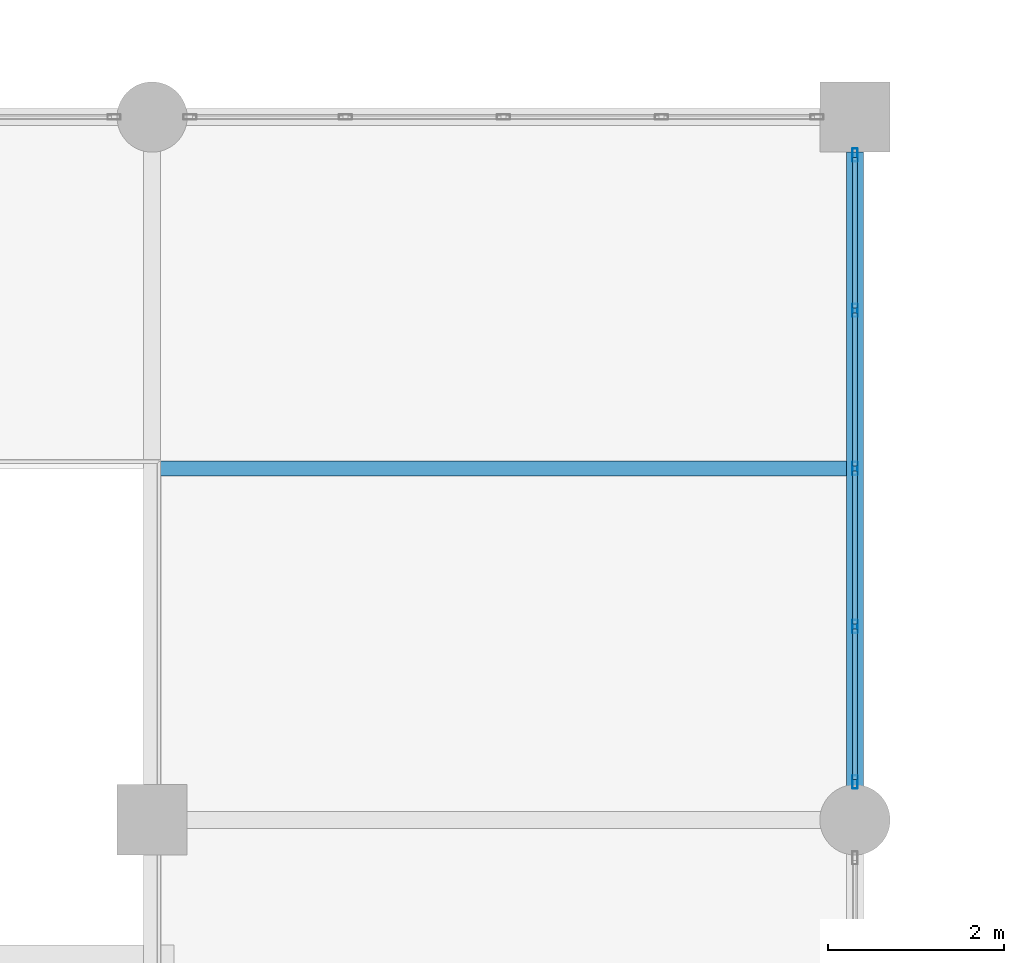
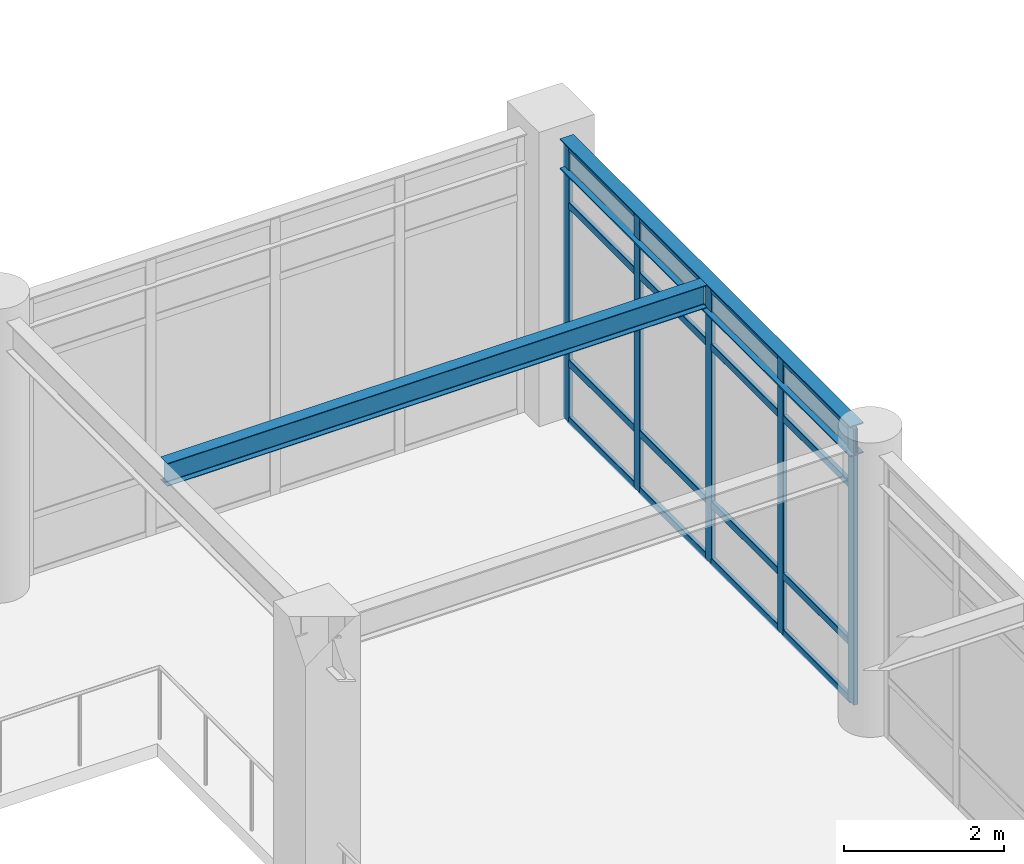
# One storey, part 49 of 78: 21 members, 2 beams, 1 element without a shape of its own.
"""IFC4 building model written with IfcOpenShell, lengths in metres."""

from ifc_helpers import new_model, si_unit, direction, frame, origin, origin_2d, place, context, subcontext, project, spatial, hollow_rectangle, i_section, extrude, material, material_profile, profile_set, type_object, element, aggregate, save


model = new_model("IFC4")

# Units and contexts
model_context = context("Model", 3, precision=1e-05, world=origin(), true_north=direction((0.0, 1.0)))
body_context = subcontext(model_context, "Body", "Model", "MODEL_VIEW")
ifc_project = project(units=[si_unit("LENGTHUNIT", "METRE"), si_unit("AREAUNIT", "SQUARE_METRE"), si_unit("VOLUMEUNIT", "CUBIC_METRE"), si_unit("PLANEANGLEUNIT", "RADIAN"), si_unit("MASSUNIT", "GRAM", prefix="KILO")], contexts=[model_context])

# Site, building, storey
site_placement = place(None, origin())
site = spatial("IfcSite", under=ifc_project, at=site_placement, CompositionType="ELEMENT")
building_placement = place(site_placement, origin())
building = spatial("IfcBuilding", under=site, at=building_placement, Name="Solmirada Galleria", CompositionType="ELEMENT")
storey_placement = place(building_placement, frame((0.0, 0.0, 23.89990234375)))
storey = spatial("IfcBuildingStorey", under=building, at=storey_placement, Name="L05", CompositionType="ELEMENT", Elevation=23.89990234375)

# Beams
ifc_material_1 = material(Name="Steel S355 / ASTM A992 Grade 50", Category="steel")
ifc_material_profile_1 = material_profile(ifc_material_1, i_section(OverallWidth=0.193115234375, OverallDepth=0.466064453125, WebThickness=0.011474609375, FlangeThickness=0.01904296875, FilletRadius=0.013916015625, at=origin_2d()), Name="W18X65")
ifc_profile_set_1 = profile_set([ifc_material_profile_1], Name="Steel S355 / ASTM A992 Grade 50")
beam_type_1 = type_object("IfcBeamType", Name="BM-GIRD-W18C", PredefinedType="BEAM", material=ifc_profile_set_1)
beam_1_placement = place(storey_placement, frame((112.0, 64.3359375, 4.067138671875), z_axis=(0.0, 1.0, 0.0), x_axis=(-1.0, 0.0, 0.0)))
element("IfcBeam", 1, at=beam_1_placement, inside=storey, type_object=beam_type_1, Name="Primary girder L06 Y(112, 64..72)", PredefinedType="BEAM", context=body_context, shape_type="SweptSolid", body=[
    extrude(i_section(OverallWidth=0.193115234375, OverallDepth=0.466064453125, WebThickness=0.011474609375, FlangeThickness=0.01904296875, FilletRadius=0.013916015625, at=origin_2d()), origin(), (0.0, 0.0, 1.0), 7.26416015625),
])
ifc_material_profile_2 = material_profile(ifc_material_1, i_section(OverallWidth=0.1708984375, OverallDepth=0.35205078125, WebThickness=0.0068359375, FlangeThickness=0.009765625, FilletRadius=0.010986328125, at=origin_2d()), Name="W14X30")
ifc_profile_set_2 = profile_set([ifc_material_profile_2], Name="Steel S355 / ASTM A992 Grade 50")
beam_type_2 = type_object("IfcBeamType", Name="BM-JST-W14B", PredefinedType="JOIST", material=ifc_profile_set_2)
beam_2_placement = place(storey_placement, frame((104.096435546875, 68.0, 4.1240234375), z_axis=(1.0, 0.0, 0.0), x_axis=(0.0, 1.0, 0.0)))
element("IfcBeam", 2, at=beam_2_placement, inside=storey, type_object=beam_type_2, Name="Composite floor joist L06 (104..112, 68.0)", PredefinedType="JOIST", context=body_context, shape_type="SweptSolid", body=[
    extrude(i_section(OverallWidth=0.1708984375, OverallDepth=0.35205078125, WebThickness=0.0068359375, FlangeThickness=0.009765625, FilletRadius=0.010986328125, at=origin_2d()), origin(), (0.0, 0.0, 1.0), 7.80712890625),
])

# Curtain wall, members
ifc_material_2 = material(Name="Impact-resistant low-E double glazing", Category="glass")
curtain_wall_type = type_object("IfcCurtainWallType", Name="CW-FZ3-L05-B4-L072", PredefinedType="NOTDEFINED", material=ifc_material_2)
curtain_wall_placement = place(storey_placement, origin())
curtain_wall = element("IfcCurtainWall", 3, at=curtain_wall_placement, inside=storey, type_object=curtain_wall_type, Name="Terrace and arcade storefront CW-L05-176", PredefinedType="NOTDEFINED")
ifc_material_3 = material(Name="Anodised aluminium framing", Category="aluminium")
ifc_material_profile_3 = material_profile(ifc_material_3, hollow_rectangle(XDim=0.06005859375, YDim=0.14990234375, WallThickness=0.00341796875, InnerFilletRadius=0.00341796875, OuterFilletRadius=0.007080078125, at=origin_2d()), Name="ALU-MULL-150X60")
ifc_profile_set_3 = profile_set([ifc_material_profile_3], Name="Anodised aluminium framing")
member_type_1 = type_object("IfcMemberType", Name="CW-MULL-150", PredefinedType="MULLION", material=ifc_profile_set_3)
member_1_placement = place(storey_placement, frame((112.0, 71.568115234375, 0.0), z_axis=(0.0, 0.0, 1.0), x_axis=(1.0, 0.0, 0.0)))
member_1 = element("IfcMember", 4, at=member_1_placement, type_object=member_type_1, Name="CW33 mullion 1", PredefinedType="MULLION", context=body_context, shape_type="SweptSolid", body=[
    extrude(hollow_rectangle(XDim=0.06005859375, YDim=0.14990234375, WallThickness=0.00341796875, InnerFilletRadius=0.00341796875, OuterFilletRadius=0.007080078125, at=origin_2d()), origin(), (0.0, 0.0, 1.0), 4.22021484375),
])
member_2_placement = place(storey_placement, frame((112.0, 69.799072265625, 0.0), z_axis=(0.0, 0.0, 1.0), x_axis=(1.0, 0.0, 0.0)))
member_2 = element("IfcMember", 5, at=member_2_placement, type_object=member_type_1, Name="CW33 mullion 2", PredefinedType="MULLION", context=body_context, shape_type="SweptSolid", body=[
    extrude(hollow_rectangle(XDim=0.06005859375, YDim=0.14990234375, WallThickness=0.00341796875, InnerFilletRadius=0.00341796875, OuterFilletRadius=0.007080078125, at=origin_2d()), origin(), (0.0, 0.0, 1.0), 4.22021484375),
])
member_3_placement = place(storey_placement, frame((112.0, 68.0, 0.0), z_axis=(0.0, 0.0, 1.0), x_axis=(1.0, 0.0, 0.0)))
member_3 = element("IfcMember", 6, at=member_3_placement, type_object=member_type_1, Name="CW33 mullion 3", PredefinedType="MULLION", context=body_context, shape_type="SweptSolid", body=[
    extrude(hollow_rectangle(XDim=0.06005859375, YDim=0.14990234375, WallThickness=0.00341796875, InnerFilletRadius=0.00341796875, OuterFilletRadius=0.007080078125, at=origin_2d()), origin(), (0.0, 0.0, 1.0), 4.22021484375),
])
member_4_placement = place(storey_placement, frame((112.0, 66.200927734375, 0.0), z_axis=(0.0, 0.0, 1.0), x_axis=(1.0, 0.0, 0.0)))
member_4 = element("IfcMember", 7, at=member_4_placement, type_object=member_type_1, Name="CW33 mullion 4", PredefinedType="MULLION", context=body_context, shape_type="SweptSolid", body=[
    extrude(hollow_rectangle(XDim=0.06005859375, YDim=0.14990234375, WallThickness=0.00341796875, InnerFilletRadius=0.00341796875, OuterFilletRadius=0.007080078125, at=origin_2d()), origin(), (0.0, 0.0, 1.0), 4.22021484375),
])
member_5_placement = place(storey_placement, frame((112.0, 64.431884765625, 0.0), z_axis=(0.0, 0.0, 1.0), x_axis=(1.0, 0.0, 0.0)))
member_5 = element("IfcMember", 8, at=member_5_placement, type_object=member_type_1, Name="CW33 mullion 5", PredefinedType="MULLION", context=body_context, shape_type="SweptSolid", body=[
    extrude(hollow_rectangle(XDim=0.06005859375, YDim=0.14990234375, WallThickness=0.00341796875, InnerFilletRadius=0.00341796875, OuterFilletRadius=0.007080078125, at=origin_2d()), origin(), (0.0, 0.0, 1.0), 4.22021484375),
])
ifc_material_profile_4 = material_profile(ifc_material_3, hollow_rectangle(XDim=0.06005859375, YDim=0.110107421875, WallThickness=0.003173828125, InnerFilletRadius=0.003173828125, OuterFilletRadius=0.00634765625, at=origin_2d()), Name="ALU-TRAN-110X60")
ifc_profile_set_4 = profile_set([ifc_material_profile_4], Name="Anodised aluminium framing")
member_type_2 = type_object("IfcMemberType", Name="CW-TRAN-110", PredefinedType="USERDEFINED", material=ifc_profile_set_4)
member_6_placement = place(storey_placement, frame((112.0, 71.5380859375, 0.030029296875), z_axis=(0.0, -1.0, 0.0), x_axis=(1.0, 0.0, 0.0)))
member_6 = element("IfcMember", 9, at=member_6_placement, type_object=member_type_2, Name="CW33 transom 1.1", ObjectType="TRANSOM", PredefinedType="USERDEFINED", context=body_context, shape_type="SweptSolid", body=[
    extrude(hollow_rectangle(XDim=0.06005859375, YDim=0.110107421875, WallThickness=0.003173828125, InnerFilletRadius=0.003173828125, OuterFilletRadius=0.00634765625, at=origin_2d()), origin(), (0.0, 0.0, 1.0), 1.708984375),
])
member_7_placement = place(storey_placement, frame((112.0, 71.5380859375, 0.900146484375), z_axis=(0.0, -1.0, 0.0), x_axis=(1.0, 0.0, 0.0)))
member_7 = element("IfcMember", 10, at=member_7_placement, type_object=member_type_2, Name="CW33 transom 1.2", ObjectType="TRANSOM", PredefinedType="USERDEFINED", context=body_context, shape_type="SweptSolid", body=[
    extrude(hollow_rectangle(XDim=0.06005859375, YDim=0.110107421875, WallThickness=0.003173828125, InnerFilletRadius=0.003173828125, OuterFilletRadius=0.00634765625, at=origin_2d()), origin(), (0.0, 0.0, 1.0), 1.708984375),
])
member_8_placement = place(storey_placement, frame((112.0, 71.5380859375, 3.31005859375), z_axis=(0.0, -1.0, 0.0), x_axis=(1.0, 0.0, 0.0)))
member_8 = element("IfcMember", 11, at=member_8_placement, type_object=member_type_2, Name="CW33 transom 1.3", ObjectType="TRANSOM", PredefinedType="USERDEFINED", context=body_context, shape_type="SweptSolid", body=[
    extrude(hollow_rectangle(XDim=0.06005859375, YDim=0.110107421875, WallThickness=0.003173828125, InnerFilletRadius=0.003173828125, OuterFilletRadius=0.00634765625, at=origin_2d()), origin(), (0.0, 0.0, 1.0), 1.708984375),
])
member_9_placement = place(storey_placement, frame((112.0, 71.5380859375, 4.190185546875), z_axis=(0.0, -1.0, 0.0), x_axis=(1.0, 0.0, 0.0)))
member_9 = element("IfcMember", 12, at=member_9_placement, type_object=member_type_2, Name="CW33 transom 1.4", ObjectType="TRANSOM", PredefinedType="USERDEFINED", context=body_context, shape_type="SweptSolid", body=[
    extrude(hollow_rectangle(XDim=0.06005859375, YDim=0.110107421875, WallThickness=0.003173828125, InnerFilletRadius=0.003173828125, OuterFilletRadius=0.00634765625, at=origin_2d()), origin(), (0.0, 0.0, 1.0), 1.708984375),
])
member_10_placement = place(storey_placement, frame((112.0, 69.76904296875, 0.030029296875), z_axis=(0.0, -1.0, 0.0), x_axis=(1.0, 0.0, 0.0)))
member_10 = element("IfcMember", 13, at=member_10_placement, type_object=member_type_2, Name="CW33 transom 2.1", ObjectType="TRANSOM", PredefinedType="USERDEFINED", context=body_context, shape_type="SweptSolid", body=[
    extrude(hollow_rectangle(XDim=0.06005859375, YDim=0.110107421875, WallThickness=0.003173828125, InnerFilletRadius=0.003173828125, OuterFilletRadius=0.00634765625, at=origin_2d()), origin(), (0.0, 0.0, 1.0), 1.739013671875),
])
member_11_placement = place(storey_placement, frame((112.0, 69.76904296875, 0.900146484375), z_axis=(0.0, -1.0, 0.0), x_axis=(1.0, 0.0, 0.0)))
member_11 = element("IfcMember", 14, at=member_11_placement, type_object=member_type_2, Name="CW33 transom 2.2", ObjectType="TRANSOM", PredefinedType="USERDEFINED", context=body_context, shape_type="SweptSolid", body=[
    extrude(hollow_rectangle(XDim=0.06005859375, YDim=0.110107421875, WallThickness=0.003173828125, InnerFilletRadius=0.003173828125, OuterFilletRadius=0.00634765625, at=origin_2d()), origin(), (0.0, 0.0, 1.0), 1.739013671875),
])
member_12_placement = place(storey_placement, frame((112.0, 69.76904296875, 3.31005859375), z_axis=(0.0, -1.0, 0.0), x_axis=(1.0, 0.0, 0.0)))
member_12 = element("IfcMember", 15, at=member_12_placement, type_object=member_type_2, Name="CW33 transom 2.3", ObjectType="TRANSOM", PredefinedType="USERDEFINED", context=body_context, shape_type="SweptSolid", body=[
    extrude(hollow_rectangle(XDim=0.06005859375, YDim=0.110107421875, WallThickness=0.003173828125, InnerFilletRadius=0.003173828125, OuterFilletRadius=0.00634765625, at=origin_2d()), origin(), (0.0, 0.0, 1.0), 1.739013671875),
])
member_13_placement = place(storey_placement, frame((112.0, 69.76904296875, 4.190185546875), z_axis=(0.0, -1.0, 0.0), x_axis=(1.0, 0.0, 0.0)))
member_13 = element("IfcMember", 16, at=member_13_placement, type_object=member_type_2, Name="CW33 transom 2.4", ObjectType="TRANSOM", PredefinedType="USERDEFINED", context=body_context, shape_type="SweptSolid", body=[
    extrude(hollow_rectangle(XDim=0.06005859375, YDim=0.110107421875, WallThickness=0.003173828125, InnerFilletRadius=0.003173828125, OuterFilletRadius=0.00634765625, at=origin_2d()), origin(), (0.0, 0.0, 1.0), 1.739013671875),
])
member_14_placement = place(storey_placement, frame((112.0, 67.969970703125, 0.030029296875), z_axis=(0.0, -1.0, 0.0), x_axis=(1.0, 0.0, 0.0)))
member_14 = element("IfcMember", 17, at=member_14_placement, type_object=member_type_2, Name="CW33 transom 3.1", ObjectType="TRANSOM", PredefinedType="USERDEFINED", context=body_context, shape_type="SweptSolid", body=[
    extrude(hollow_rectangle(XDim=0.06005859375, YDim=0.110107421875, WallThickness=0.003173828125, InnerFilletRadius=0.003173828125, OuterFilletRadius=0.00634765625, at=origin_2d()), origin(), (0.0, 0.0, 1.0), 1.739013671875),
])
member_15_placement = place(storey_placement, frame((112.0, 67.969970703125, 0.900146484375), z_axis=(0.0, -1.0, 0.0), x_axis=(1.0, 0.0, 0.0)))
member_15 = element("IfcMember", 18, at=member_15_placement, type_object=member_type_2, Name="CW33 transom 3.2", ObjectType="TRANSOM", PredefinedType="USERDEFINED", context=body_context, shape_type="SweptSolid", body=[
    extrude(hollow_rectangle(XDim=0.06005859375, YDim=0.110107421875, WallThickness=0.003173828125, InnerFilletRadius=0.003173828125, OuterFilletRadius=0.00634765625, at=origin_2d()), origin(), (0.0, 0.0, 1.0), 1.739013671875),
])
member_16_placement = place(storey_placement, frame((112.0, 67.969970703125, 3.31005859375), z_axis=(0.0, -1.0, 0.0), x_axis=(1.0, 0.0, 0.0)))
member_16 = element("IfcMember", 19, at=member_16_placement, type_object=member_type_2, Name="CW33 transom 3.3", ObjectType="TRANSOM", PredefinedType="USERDEFINED", context=body_context, shape_type="SweptSolid", body=[
    extrude(hollow_rectangle(XDim=0.06005859375, YDim=0.110107421875, WallThickness=0.003173828125, InnerFilletRadius=0.003173828125, OuterFilletRadius=0.00634765625, at=origin_2d()), origin(), (0.0, 0.0, 1.0), 1.739013671875),
])
member_17_placement = place(storey_placement, frame((112.0, 67.969970703125, 4.190185546875), z_axis=(0.0, -1.0, 0.0), x_axis=(1.0, 0.0, 0.0)))
member_17 = element("IfcMember", 20, at=member_17_placement, type_object=member_type_2, Name="CW33 transom 3.4", ObjectType="TRANSOM", PredefinedType="USERDEFINED", context=body_context, shape_type="SweptSolid", body=[
    extrude(hollow_rectangle(XDim=0.06005859375, YDim=0.110107421875, WallThickness=0.003173828125, InnerFilletRadius=0.003173828125, OuterFilletRadius=0.00634765625, at=origin_2d()), origin(), (0.0, 0.0, 1.0), 1.739013671875),
])
member_18_placement = place(storey_placement, frame((112.0, 66.1708984375, 0.030029296875), z_axis=(0.0, -1.0, 0.0), x_axis=(1.0, 0.0, 0.0)))
member_18 = element("IfcMember", 21, at=member_18_placement, type_object=member_type_2, Name="CW33 transom 4.1", ObjectType="TRANSOM", PredefinedType="USERDEFINED", context=body_context, shape_type="SweptSolid", body=[
    extrude(hollow_rectangle(XDim=0.06005859375, YDim=0.110107421875, WallThickness=0.003173828125, InnerFilletRadius=0.003173828125, OuterFilletRadius=0.00634765625, at=origin_2d()), origin(), (0.0, 0.0, 1.0), 1.708984375),
])
member_19_placement = place(storey_placement, frame((112.0, 66.1708984375, 0.900146484375), z_axis=(0.0, -1.0, 0.0), x_axis=(1.0, 0.0, 0.0)))
member_19 = element("IfcMember", 22, at=member_19_placement, type_object=member_type_2, Name="CW33 transom 4.2", ObjectType="TRANSOM", PredefinedType="USERDEFINED", context=body_context, shape_type="SweptSolid", body=[
    extrude(hollow_rectangle(XDim=0.06005859375, YDim=0.110107421875, WallThickness=0.003173828125, InnerFilletRadius=0.003173828125, OuterFilletRadius=0.00634765625, at=origin_2d()), origin(), (0.0, 0.0, 1.0), 1.708984375),
])
member_20_placement = place(storey_placement, frame((112.0, 66.1708984375, 3.31005859375), z_axis=(0.0, -1.0, 0.0), x_axis=(1.0, 0.0, 0.0)))
member_20 = element("IfcMember", 23, at=member_20_placement, type_object=member_type_2, Name="CW33 transom 4.3", ObjectType="TRANSOM", PredefinedType="USERDEFINED", context=body_context, shape_type="SweptSolid", body=[
    extrude(hollow_rectangle(XDim=0.06005859375, YDim=0.110107421875, WallThickness=0.003173828125, InnerFilletRadius=0.003173828125, OuterFilletRadius=0.00634765625, at=origin_2d()), origin(), (0.0, 0.0, 1.0), 1.708984375),
])
member_21_placement = place(storey_placement, frame((112.0, 66.1708984375, 4.190185546875), z_axis=(0.0, -1.0, 0.0), x_axis=(1.0, 0.0, 0.0)))
member_21 = element("IfcMember", 24, at=member_21_placement, type_object=member_type_2, Name="CW33 transom 4.4", ObjectType="TRANSOM", PredefinedType="USERDEFINED", context=body_context, shape_type="SweptSolid", body=[
    extrude(hollow_rectangle(XDim=0.06005859375, YDim=0.110107421875, WallThickness=0.003173828125, InnerFilletRadius=0.003173828125, OuterFilletRadius=0.00634765625, at=origin_2d()), origin(), (0.0, 0.0, 1.0), 1.708984375),
])
aggregate(curtain_wall, [member_1, member_2, member_3, member_4, member_5, member_6, member_7, member_8, member_9, member_10, member_11, member_12, member_13, member_14, member_15, member_16, member_17, member_18, member_19, member_20, member_21])

save(model, "model.ifc")
